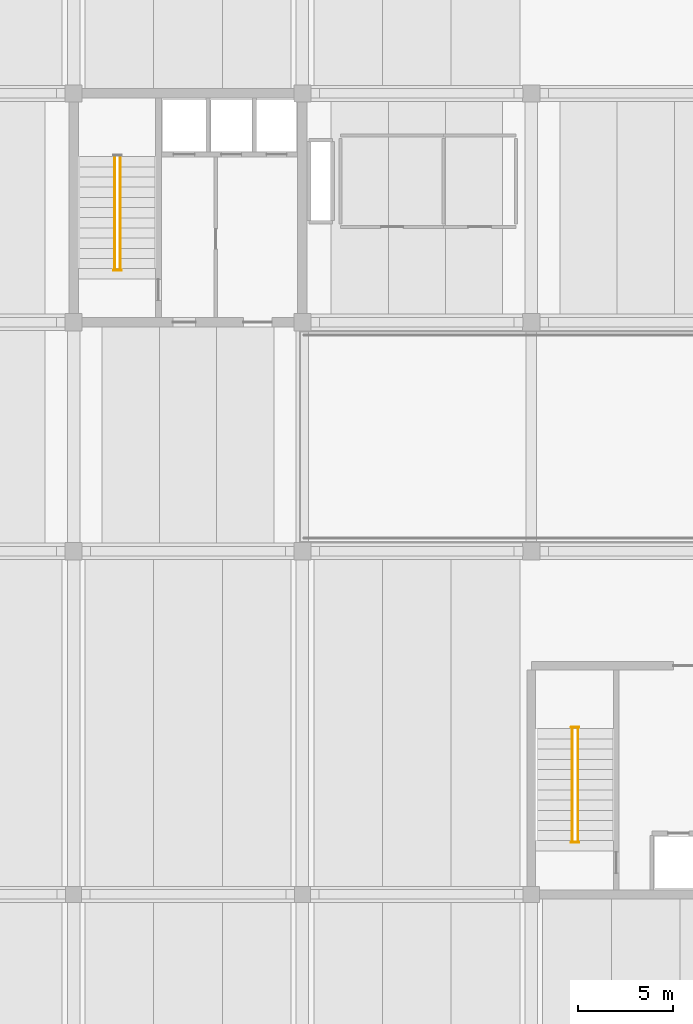
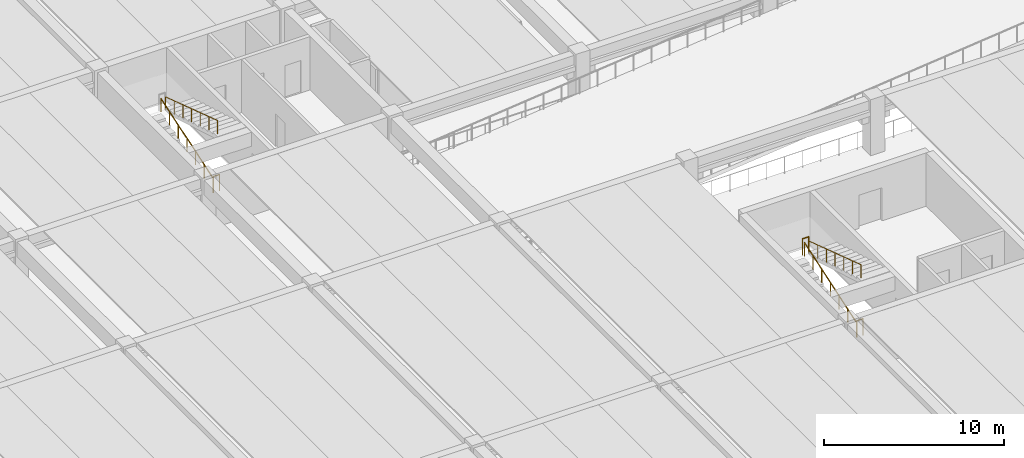
# One storey, part 15 of 19: 7 railings.
"""IFC4 building model written with IfcOpenShell, lengths in metres."""

from ifc_helpers import new_model, si_unit, direction, frame, origin, origin_2d, place, context, subcontext, project, spatial, circle, extrude, material, layer, layer_set, type_object, element, save


model = new_model("IFC4")

# Units and contexts
model_context = context("Model", 3, precision=1e-05, world=origin(), true_north=direction((0.0, 1.0)))
body_context = subcontext(model_context, "Body", "Model", "MODEL_VIEW")
ifc_project = project(units=[si_unit("LENGTHUNIT", "METRE"), si_unit("AREAUNIT", "SQUARE_METRE"), si_unit("VOLUMEUNIT", "CUBIC_METRE"), si_unit("PLANEANGLEUNIT", "RADIAN"), si_unit("MASSUNIT", "GRAM", prefix="KILO")], contexts=[model_context])

# Site, building, storey
site_placement = place(None, origin())
site = spatial("IfcSite", under=ifc_project, at=site_placement, CompositionType="ELEMENT")
building_placement = place(site_placement, origin())
building = spatial("IfcBuilding", under=site, at=building_placement, Name="Girod Span Mobility Hub", CompositionType="ELEMENT")
storey_placement = place(building_placement, frame((0.0, 0.0, 13.39990234375)))
storey = spatial("IfcBuildingStorey", under=building, at=storey_placement, Name="L03", CompositionType="ELEMENT", Elevation=13.39990234375)

# Railings
ifc_material_1 = material(Name="Painted Galvanised Steel", Category="steel")
ifc_layer_1 = layer(ifc_material_1, 0.06494140625)
ifc_layer_set_1 = layer_set([ifc_layer_1], Name="Painted Galvanised Steel")
railing_type_1 = type_object("IfcRailingType", Name="RL-GRD-1120", PredefinedType="GUARDRAIL", material=ifc_layer_set_1)
for number, where, name in (
    (1, (50.10009765625, 59.72998046875, 0.0), "Stair ST-1 Landing Well Guard L03"),
    (2, (74.10009765625, 35.77001953125, 1.900146484375), "Stair ST-3 Half-Landing Well Guard L03"),
    (3, (74.10009765625, 29.72998046875, 0.0), "Stair ST-3 Landing Well Guard L03"),
):
    element("IfcRailing", number, at=place(storey_placement, frame(where)), inside=storey, type_object=railing_type_1, Name=name, PredefinedType="GUARDRAIL", context=body_context, shape_type="SweptSolid", body=[
        extrude(circle(Radius=0.02392578125, at=origin_2d()), frame((0.0, 0.0, 1.09619140625), z_axis=(1.0, 0.0, 0.0), x_axis=(0.0, 1.0, 0.0)), (0.0, 0.0, 1.0), 0.39990234375),
        extrude(circle(Radius=0.02099609375, at=origin_2d()), origin(), (0.0, 0.0, 1.0), 1.072021484375),
        extrude(circle(Radius=0.02099609375, at=origin_2d()), frame((0.39990234375, 0.0, 0.0)), (0.0, 0.0, 1.0), 1.072021484375),
    ])
ifc_material_2 = material(Name="Painted Galvanised Steel", Category="steel")
ifc_layer_2 = layer(ifc_material_2, 0.050048828125)
ifc_layer_set_2 = layer_set([ifc_layer_2], Name="Painted Galvanised Steel")
railing_type_2 = type_object("IfcRailingType", Name="RL-HR-920", PredefinedType="HANDRAIL", material=ifc_layer_set_2)
railing_1_placement = place(storey_placement, frame((50.14990234375, 59.860107421875, 0.0)))
element("IfcRailing", 4, at=railing_1_placement, inside=storey, type_object=railing_type_2, Name="Stair ST-1 Flight 1 Handrail L03", PredefinedType="HANDRAIL", context=body_context, shape_type="SweptSolid", body=[
    extrude(circle(Radius=0.02392578125, at=origin_2d()), frame((0.0, 0.0, 0.89599609375), z_axis=(0.0, 0.949979375482, 0.31231264169), x_axis=(-1.0, 0.0, 0.0)), (0.0, 0.0, 1.0), 6.084228515625),
    extrude(circle(Radius=0.02099609375, at=origin_2d()), origin(), (0.0, 0.0, 1.0), 0.871826171875),
    extrude(circle(Radius=0.02099609375, at=origin_2d()), frame((0.0, 0.96337890625, 0.316650390625)), (0.0, 0.0, 1.0), 0.871826171875),
    extrude(circle(Radius=0.02099609375, at=origin_2d()), frame((0.0, 1.926513671875, 0.63330078125)), (0.0, 0.0, 1.0), 0.871826171875),
    extrude(circle(Radius=0.02099609375, at=origin_2d()), frame((0.0, 2.889892578125, 0.9501953125)), (0.0, 0.0, 1.0), 0.871826171875),
    extrude(circle(Radius=0.02099609375, at=origin_2d()), frame((0.0, 3.853271484375, 1.266845703125)), (0.0, 0.0, 1.0), 0.871826171875),
    extrude(circle(Radius=0.02099609375, at=origin_2d()), frame((0.0, 4.81640625, 1.58349609375)), (0.0, 0.0, 1.0), 0.871826171875),
    extrude(circle(Radius=0.02099609375, at=origin_2d()), frame((0.0, 5.77978515625, 1.900146484375)), (0.0, 0.0, 1.0), 0.871826171875),
])
railing_2_placement = place(storey_placement, frame((50.449951171875, 65.639892578125, 1.900146484375)))
element("IfcRailing", 5, at=railing_2_placement, inside=storey, type_object=railing_type_2, Name="Stair ST-1 Flight 2 Handrail L03", PredefinedType="HANDRAIL", context=body_context, shape_type="SweptSolid", body=[
    extrude(circle(Radius=0.02392578125, at=origin_2d()), frame((0.0, 0.0, 0.89599609375), z_axis=(0.0, -0.949991280403, 0.312276427477), x_axis=(1.0, 0.0, 0.0)), (0.0, 0.0, 1.0), 6.083984375),
    extrude(circle(Radius=0.02099609375, at=origin_2d()), origin(), (0.0, 0.0, 1.0), 0.871826171875),
    extrude(circle(Radius=0.02099609375, at=origin_2d()), frame((0.0, -0.96337890625, 0.316650390625)), (0.0, 0.0, 1.0), 0.871826171875),
    extrude(circle(Radius=0.02099609375, at=origin_2d()), frame((0.0, -1.926513671875, 0.63330078125)), (0.0, 0.0, 1.0), 0.871826171875),
    extrude(circle(Radius=0.02099609375, at=origin_2d()), frame((0.0, -2.889892578125, 0.949951171875)), (0.0, 0.0, 1.0), 0.871826171875),
    extrude(circle(Radius=0.02099609375, at=origin_2d()), frame((0.0, -3.853271484375, 1.2666015625)), (0.0, 0.0, 1.0), 0.871826171875),
    extrude(circle(Radius=0.02099609375, at=origin_2d()), frame((0.0, -4.81640625, 1.583251953125)), (0.0, 0.0, 1.0), 0.871826171875),
    extrude(circle(Radius=0.02099609375, at=origin_2d()), frame((0.0, -5.77978515625, 1.89990234375)), (0.0, 0.0, 1.0), 0.871826171875),
])
railing_3_placement = place(storey_placement, frame((74.14990234375, 29.860107421875, 0.0)))
element("IfcRailing", 6, at=railing_3_placement, inside=storey, type_object=railing_type_2, Name="Stair ST-3 Flight 1 Handrail L03", PredefinedType="HANDRAIL", context=body_context, shape_type="SweptSolid", body=[
    extrude(circle(Radius=0.02392578125, at=origin_2d()), frame((0.0, 0.0, 0.89599609375), z_axis=(0.0, 0.949979375482, 0.31231264169), x_axis=(-1.0, 0.0, 0.0)), (0.0, 0.0, 1.0), 6.084228515625),
    extrude(circle(Radius=0.02099609375, at=origin_2d()), origin(), (0.0, 0.0, 1.0), 0.871826171875),
    extrude(circle(Radius=0.02099609375, at=origin_2d()), frame((0.0, 0.96337890625, 0.316650390625)), (0.0, 0.0, 1.0), 0.871826171875),
    extrude(circle(Radius=0.02099609375, at=origin_2d()), frame((0.0, 1.926513671875, 0.63330078125)), (0.0, 0.0, 1.0), 0.871826171875),
    extrude(circle(Radius=0.02099609375, at=origin_2d()), frame((0.0, 2.889892578125, 0.9501953125)), (0.0, 0.0, 1.0), 0.871826171875),
    extrude(circle(Radius=0.02099609375, at=origin_2d()), frame((0.0, 3.853271484375, 1.266845703125)), (0.0, 0.0, 1.0), 0.871826171875),
    extrude(circle(Radius=0.02099609375, at=origin_2d()), frame((0.0, 4.81640625, 1.58349609375)), (0.0, 0.0, 1.0), 0.871826171875),
    extrude(circle(Radius=0.02099609375, at=origin_2d()), frame((0.0, 5.77978515625, 1.900146484375)), (0.0, 0.0, 1.0), 0.871826171875),
])
railing_4_placement = place(storey_placement, frame((74.449951171875, 35.639892578125, 1.900146484375)))
element("IfcRailing", 7, at=railing_4_placement, inside=storey, type_object=railing_type_2, Name="Stair ST-3 Flight 2 Handrail L03", PredefinedType="HANDRAIL", context=body_context, shape_type="SweptSolid", body=[
    extrude(circle(Radius=0.02392578125, at=origin_2d()), frame((0.0, 0.0, 0.89599609375), z_axis=(0.0, -0.949991280403, 0.312276427477), x_axis=(1.0, 0.0, 0.0)), (0.0, 0.0, 1.0), 6.083984375),
    extrude(circle(Radius=0.02099609375, at=origin_2d()), origin(), (0.0, 0.0, 1.0), 0.871826171875),
    extrude(circle(Radius=0.02099609375, at=origin_2d()), frame((0.0, -0.96337890625, 0.316650390625)), (0.0, 0.0, 1.0), 0.871826171875),
    extrude(circle(Radius=0.02099609375, at=origin_2d()), frame((0.0, -1.926513671875, 0.63330078125)), (0.0, 0.0, 1.0), 0.871826171875),
    extrude(circle(Radius=0.02099609375, at=origin_2d()), frame((0.0, -2.889892578125, 0.949951171875)), (0.0, 0.0, 1.0), 0.871826171875),
    extrude(circle(Radius=0.02099609375, at=origin_2d()), frame((0.0, -3.853271484375, 1.2666015625)), (0.0, 0.0, 1.0), 0.871826171875),
    extrude(circle(Radius=0.02099609375, at=origin_2d()), frame((0.0, -4.81640625, 1.583251953125)), (0.0, 0.0, 1.0), 0.871826171875),
    extrude(circle(Radius=0.02099609375, at=origin_2d()), frame((0.0, -5.77978515625, 1.89990234375)), (0.0, 0.0, 1.0), 0.871826171875),
])

save(model, "model.ifc")
